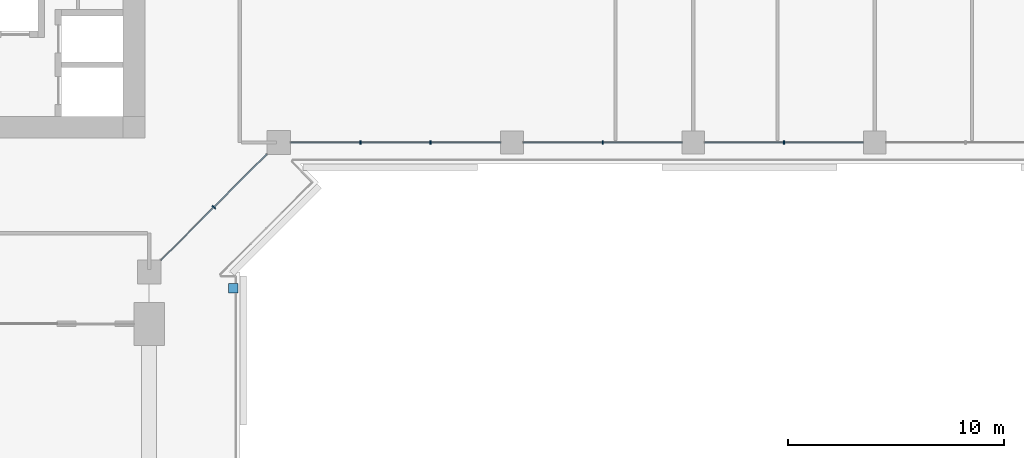
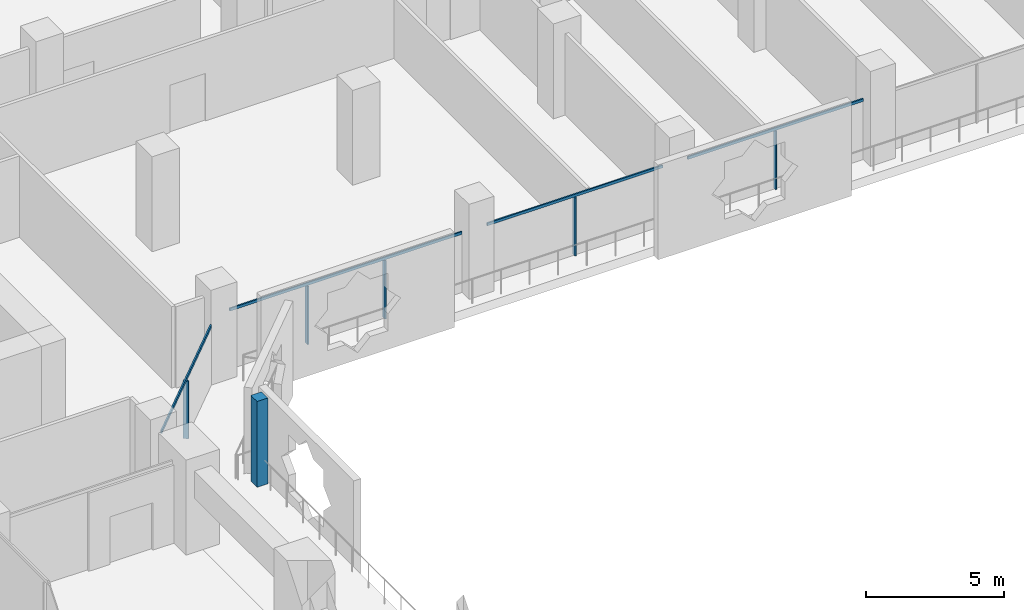
# One storey, part 6 of 25: 10 members, 3 elements without a shape of their own.
"""IFC4 building model written with IfcOpenShell, lengths in metres."""

import ifcopenshell
import ifcopenshell.guid

model = None  # the IFC model being written
_history = None  # IfcOwnerHistory: only IFC2X3 demands one
_inside = {}  # id of a spatial element -> (the spatial element, [elements in it])
_under = {}  # id of a project, library or spatial element -> (it, [spatial elements below it])
_declared = {}  # id of a project -> (the project, [libraries it declares])
_typed = {}  # id of a type object -> (the type object, [elements of that type])
_made_of = {}  # id of a material, layer set ... -> (it, [elements and type objects made of it])


def new_model(schema):
    """Start an empty IFC model of exactly this schema.

    Asked for "IFC4X3", IfcOpenShell would pick the latest addendum, in which some entities
    have other attributes; the version numbers below select the first issue.
    IFC2X3 requires an IfcOwnerHistory on every rooted entity: one is made here for all.
    """
    global model, _history
    if schema == "IFC4X3":
        model = ifcopenshell.file(schema_version=(4, 3, 0, 0))
    else:
        model = ifcopenshell.file(schema=schema)
    _inside.clear()
    _under.clear()
    _declared.clear()
    _typed.clear()
    _made_of.clear()
    _history = None
    if model.schema == "IFC2X3":
        org = make("IfcOrganization", Name="unknown")
        user = make(
            "IfcPersonAndOrganization",
            ThePerson=make("IfcPerson", FamilyName="unknown"),
            TheOrganization=org,
        )
        app = make(
            "IfcApplication",
            ApplicationDeveloper=org,
            Version="unknown",
            ApplicationFullName="unknown",
            ApplicationIdentifier="unknown",
        )
        _history = make(
            "IfcOwnerHistory",
            OwningUser=user,
            OwningApplication=app,
            ChangeAction="ADDED",
            CreationDate=0,
        )
    return model


def make(cls, **values):
    """One entity of the class cls with the attributes given. An attribute that is None is left unset."""
    return model.create_entity(
        cls, **{name: value for name, value in values.items() if value is not None}
    )


def rooted(cls, **values):
    """An entity with a GlobalId (a new one), such as an element, a storey or a relation."""
    return make(cls, GlobalId=ifcopenshell.guid.new(), OwnerHistory=_history, **values)


def si_unit(unit_type, name, prefix=None):
    """IfcSIUnit, for example si_unit("LENGTHUNIT", "METRE", prefix="MILLI")."""
    return make("IfcSIUnit", UnitType=unit_type, Prefix=prefix, Name=name)


def assignment(units):
    """IfcUnitAssignment: the units of a project."""
    return None if units is None else make("IfcUnitAssignment", Units=units)


def point(xyz):
    """IfcCartesianPoint."""
    return None if xyz is None else make("IfcCartesianPoint", Coordinates=xyz)


def direction(xyz):
    """IfcDirection."""
    return None if xyz is None else make("IfcDirection", DirectionRatios=xyz)


def frame(location, z_axis=None, x_axis=None):
    """IfcAxis2Placement3D, a coordinate frame: its origin and axes. An axis left out is left unset."""
    return make(
        "IfcAxis2Placement3D",
        Location=point(location),
        Axis=direction(z_axis),
        RefDirection=direction(x_axis),
    )


def frame_2d(location, x_axis=None):
    """IfcAxis2Placement2D, a coordinate frame in the plane: its origin and x axis."""
    return make(
        "IfcAxis2Placement2D", Location=point(location), RefDirection=direction(x_axis)
    )


def origin():
    """The frame at (0, 0, 0) with its axes left unset."""
    return frame((0.0, 0.0, 0.0))


def origin_2d():
    """The frame at (0, 0) in the plane with its x axis left unset."""
    return frame_2d((0.0, 0.0))


def place(relative_to, where):
    """IfcLocalPlacement: puts the frame where relative to a parent placement (None: the world)."""
    return make(
        "IfcLocalPlacement", PlacementRelTo=relative_to, RelativePlacement=where
    )


def context(
    kind, dimensions, precision=None, world=None, true_north=None, identifier=None
):
    """IfcGeometricRepresentationContext, for example the 3D "Model" context."""
    return make(
        "IfcGeometricRepresentationContext",
        ContextIdentifier=identifier,
        ContextType=kind,
        CoordinateSpaceDimension=dimensions,
        Precision=precision,
        WorldCoordinateSystem=world,
        TrueNorth=true_north,
    )


def subcontext(parent, identifier, kind, view, scale=None):
    """IfcGeometricRepresentationSubContext, for example "Body" below "Model"."""
    return make(
        "IfcGeometricRepresentationSubContext",
        ContextIdentifier=identifier,
        ContextType=kind,
        ParentContext=parent,
        TargetScale=scale,
        TargetView=view,
    )


def project(units=None, contexts=None):
    """IfcProject with its units and contexts."""
    return rooted(
        "IfcProject",
        Name="project",
        RepresentationContexts=contexts,
        UnitsInContext=assignment(units),
    )


def spatial(cls, under=None, at=None, **own):
    """A site, building, storey or space (cls), placed at a placement, below another one or the project."""
    s = rooted(cls, ObjectPlacement=at, **own)
    if under is not None:
        _under.setdefault(under.id(), (under, []))[1].append(s)
    return s


def profile(cls, at=None, kind="AREA", **sizes):
    """A parametric profile (cls). Its sizes go by their IFC names, for example OverallWidth=200.0."""
    return make(cls, ProfileType=kind, Position=at, **sizes)


def rectangle(**sizes):
    """IfcRectangleProfileDef."""
    return profile("IfcRectangleProfileDef", **sizes)


def extrude(swept, where, along, depth):
    """IfcExtrudedAreaSolid: the profile swept, set in the frame where, extruded along a direction by depth."""
    return make(
        "IfcExtrudedAreaSolid",
        SweptArea=swept,
        Position=where,
        ExtrudedDirection=direction(along),
        Depth=depth,
    )


def shape(context_of_items, identifier, shape_type, items):
    """IfcShapeRepresentation: the items that make up one representation, for example the "Body"."""
    return make(
        "IfcShapeRepresentation",
        ContextOfItems=context_of_items,
        RepresentationIdentifier=identifier,
        RepresentationType=shape_type,
        Items=items,
    )


def material(Name=None, Category=None):
    """IfcMaterial."""
    return make("IfcMaterial", Name=Name, Category=Category)


def layer(
    of_material, thickness, ventilated=None, Name=None, Category=None, Priority=None
):
    """IfcMaterialLayer: one layer of a wall or slab, of a material (None: an air gap)."""
    return make(
        "IfcMaterialLayer",
        Material=of_material,
        LayerThickness=thickness,
        IsVentilated=ventilated,
        Name=Name,
        Category=Category,
        Priority=Priority,
    )


def layer_set(layers, Name=None):
    """IfcMaterialLayerSet."""
    return make("IfcMaterialLayerSet", MaterialLayers=layers, LayerSetName=Name)


def material_profile(
    of_material, cross_section, Name=None, Category=None, Priority=None
):
    """IfcMaterialProfile: a cross section and its material."""
    return make(
        "IfcMaterialProfile",
        Name=Name,
        Material=of_material,
        Profile=cross_section,
        Priority=Priority,
        Category=Category,
    )


def profile_set(profiles, Name=None, composite=None):
    """IfcMaterialProfileSet."""
    return make(
        "IfcMaterialProfileSet",
        Name=Name,
        MaterialProfiles=profiles,
        CompositeProfile=composite,
    )


def made_of(thing, what):
    """Note that an element or type object is made of a material, layer set ...; save() writes the relation."""
    if what is not None:
        _made_of.setdefault(what.id(), (what, []))[1].append(thing)
    return thing


def type_object(cls, material=None, **own):
    """A type object (cls), such as IfcWallType, which elements share."""
    return made_of(rooted(cls, **own), material)


def element(
    cls,
    number,
    at=None,
    inside=None,
    cuts=None,
    type_object=None,
    material=None,
    context=None,
    identifier="Body",
    shape_type=None,
    held_by="IfcProductDefinitionShape",
    body=None,
    shapes=None,
    **own,
):
    """One element of the class cls, such as IfcWall. Its Tag is "e" and its number.

    at: its placement. inside: the storey or other place that contains it. cuts: it is an
    opening in that element (IfcRelVoidsElement). A single representation is given by context,
    identifier, shape_type and body (its items); several are given by shapes. held_by: the class
    of the entity that holds the representations. save() writes the other relations.
    """
    e = rooted(cls, Tag="e%d" % number, ObjectPlacement=at, **own)
    if body is not None:
        shapes = [shape(context, identifier, shape_type, body)]
    if shapes is not None:
        e.Representation = make(held_by, Representations=shapes)
    if inside is not None:
        _inside.setdefault(inside.id(), (inside, []))[1].append(e)
    if cuts is not None:
        rooted(
            "IfcRelVoidsElement", RelatingBuildingElement=cuts, RelatedOpeningElement=e
        )
    if type_object is not None:
        _typed.setdefault(type_object.id(), (type_object, []))[1].append(e)
    return made_of(e, material)


def aggregate(whole, parts):
    """IfcRelAggregates: a whole, such as a stair, and the parts it consists of."""
    return rooted("IfcRelAggregates", RelatingObject=whole, RelatedObjects=parts)


def save(model, path):
    """Write the relations noted so far, then the file.

    IfcRelAggregates (storeys below a building ...), IfcRelContainedInSpatialStructure (elements
    in a storey), IfcRelDefinesByType, IfcRelAssociatesMaterial and IfcRelDeclares: one each for
    every whole, place, type object, material and project.
    """
    for whole, parts in _under.values():
        aggregate(whole, parts)
    for where, things in _inside.values():
        rooted(
            "IfcRelContainedInSpatialStructure",
            RelatedElements=things,
            RelatingStructure=where,
        )
    for kind, things in _typed.values():
        rooted("IfcRelDefinesByType", RelatedObjects=things, RelatingType=kind)
    for what, things in _made_of.values():
        rooted("IfcRelAssociatesMaterial", RelatedObjects=things, RelatingMaterial=what)
    for by, libraries in _declared.values():
        rooted("IfcRelDeclares", RelatingContext=by, RelatedDefinitions=libraries)
    model.write(path)


model = new_model("IFC4")

# Units and contexts
model_context = context("Model", 3, precision=1e-05, world=origin(), true_north=direction((0.0, 1.0)))
body_context = subcontext(model_context, "Body", "Model", "MODEL_VIEW")
ifc_project = project(units=[si_unit("LENGTHUNIT", "METRE"), si_unit("AREAUNIT", "SQUARE_METRE"), si_unit("VOLUMEUNIT", "CUBIC_METRE"), si_unit("PLANEANGLEUNIT", "RADIAN"), si_unit("MASSUNIT", "GRAM", prefix="KILO")], contexts=[model_context])

# Site, building, storey
site_placement = place(None, origin())
site = spatial("IfcSite", under=ifc_project, at=site_placement, CompositionType="ELEMENT")
building_placement = place(site_placement, origin())
building = spatial("IfcBuilding", under=site, at=building_placement, Name="Kawkab Arch Medical Tower", CompositionType="ELEMENT")
storey_placement = place(building_placement, frame((0.0, 0.0, 98.800048828125)))
storey = spatial("IfcBuildingStorey", under=building, at=storey_placement, Name="L22", CompositionType="ELEMENT", Elevation=98.800048828125)

# Curtain wall, members
ifc_material_1 = material(Name="Bronze anodised aluminium curtain wall frame", Category="aluminium")
ifc_layer_1 = layer(ifc_material_1, 0.159912109375)
ifc_layer_set_1 = layer_set([ifc_layer_1], Name="Bronze anodised aluminium curtain wall frame")
curtain_wall_type_1 = type_object("IfcCurtainWallType", Name="CW1 ward curtain wall", PredefinedType="NOTDEFINED", material=ifc_layer_set_1)
placement = place(storey_placement, origin())
curtain_wall_1 = element("IfcCurtainWall", 1, at=placement, inside=storey, type_object=curtain_wall_type_1, Name="CW1 Ward curtain wall R07", PredefinedType="NOTDEFINED")
ifc_material_2 = material(Name="Bronze anodised aluminium curtain wall frame", Category="aluminium")
ifc_material_profile_1 = material_profile(ifc_material_2, rectangle(XDim=0.179931640625, YDim=0.06005859375, at=origin_2d()), Name="AL 60x180")
ifc_profile_set_1 = profile_set([ifc_material_profile_1], Name="Bronze anodised aluminium curtain wall frame")
member_type_1 = type_object("IfcMemberType", Name="CW1 mullion 60 x 180", PredefinedType="MULLION", material=ifc_profile_set_1)
member_1_placement = place(storey_placement, frame((34.99169921875, -25.199951171875, 0.0), z_axis=(0.0, 0.0, 1.0), x_axis=(0.0, 1.0, 0.0)))
member_1 = element("IfcMember", 2, at=member_1_placement, type_object=member_type_1, Name="CW1 mullion 1.1", PredefinedType="MULLION", context=body_context, shape_type="SweptSolid", body=[
    extrude(rectangle(XDim=0.179931640625, YDim=0.06005859375, at=origin_2d()), origin(), (0.0, 0.0, 1.0), 2.579833984375),
])
member_2_placement = place(storey_placement, frame((38.2333984375, -25.199951171875, 0.0), z_axis=(0.0, 0.0, 1.0), x_axis=(0.0, 1.0, 0.0)))
member_2 = element("IfcMember", 3, at=member_2_placement, type_object=member_type_1, Name="CW1 mullion 1.2", PredefinedType="MULLION", context=body_context, shape_type="SweptSolid", body=[
    extrude(rectangle(XDim=0.179931640625, YDim=0.06005859375, at=origin_2d()), origin(), (0.0, 0.0, 1.0), 2.579833984375),
])
member_3_placement = place(storey_placement, frame((46.199951171875, -25.199951171875, 0.0), z_axis=(0.0, 0.0, 1.0), x_axis=(0.0, 1.0, 0.0)))
member_3 = element("IfcMember", 4, at=member_3_placement, type_object=member_type_1, Name="CW1 mullion 2.1", PredefinedType="MULLION", context=body_context, shape_type="SweptSolid", body=[
    extrude(rectangle(XDim=0.179931640625, YDim=0.06005859375, at=origin_2d()), origin(), (0.0, 0.0, 1.0), 2.579833984375),
])
member_4_placement = place(storey_placement, frame((54.60009765625, -25.199951171875, 0.0), z_axis=(0.0, 0.0, 1.0), x_axis=(0.0, 1.0, 0.0)))
member_4 = element("IfcMember", 5, at=member_4_placement, type_object=member_type_1, Name="CW1 mullion 3.1", PredefinedType="MULLION", context=body_context, shape_type="SweptSolid", body=[
    extrude(rectangle(XDim=0.179931640625, YDim=0.06005859375, at=origin_2d()), origin(), (0.0, 0.0, 1.0), 2.579833984375),
])
ifc_material_3 = material(Name="Bronze anodised aluminium curtain wall frame", Category="aluminium")
ifc_material_profile_2 = material_profile(ifc_material_3, rectangle(XDim=0.06005859375, YDim=0.1201171875, at=origin_2d()), Name="AL 60x120")
ifc_profile_set_2 = profile_set([ifc_material_profile_2], Name="Bronze anodised aluminium curtain wall frame")
member_type_2 = type_object("IfcMemberType", Name="CW1 transom 120 x 60", PredefinedType="USERDEFINED", material=ifc_profile_set_2)
member_5_placement = place(storey_placement, frame((31.75, -25.199951171875, 2.639892578125), z_axis=(1.0, 0.0, 0.0), x_axis=(0.0, 1.0, 0.0)))
member_5 = element("IfcMember", 6, at=member_5_placement, type_object=member_type_2, Name="CW1 transom 1", ObjectType="TRANSOM", PredefinedType="USERDEFINED", context=body_context, shape_type="SweptSolid", body=[
    extrude(rectangle(XDim=0.06005859375, YDim=0.1201171875, at=origin_2d()), origin(), (0.0, 0.0, 1.0), 9.72509765625),
])
member_6_placement = place(storey_placement, frame((42.52490234375, -25.199951171875, 2.639892578125), z_axis=(1.0, 0.0, 0.0), x_axis=(0.0, 1.0, 0.0)))
member_6 = element("IfcMember", 7, at=member_6_placement, type_object=member_type_2, Name="CW1 transom 2", ObjectType="TRANSOM", PredefinedType="USERDEFINED", context=body_context, shape_type="SweptSolid", body=[
    extrude(rectangle(XDim=0.06005859375, YDim=0.1201171875, at=origin_2d()), origin(), (0.0, 0.0, 1.0), 7.35009765625),
])
member_7_placement = place(storey_placement, frame((50.925048828125, -25.199951171875, 2.639892578125), z_axis=(1.0, 0.0, 0.0), x_axis=(0.0, 1.0, 0.0)))
member_7 = element("IfcMember", 8, at=member_7_placement, type_object=member_type_2, Name="CW1 transom 3", ObjectType="TRANSOM", PredefinedType="USERDEFINED", context=body_context, shape_type="SweptSolid", body=[
    extrude(rectangle(XDim=0.06005859375, YDim=0.1201171875, at=origin_2d()), origin(), (0.0, 0.0, 1.0), 7.349853515625),
])
aggregate(curtain_wall_1, [member_5, member_1, member_2, member_6, member_3, member_7, member_4])

ifc_material_4 = material(Name="Bronze anodised aluminium curtain wall frame", Category="aluminium")
ifc_layer_2 = layer(ifc_material_4, 0.159912109375)
ifc_layer_set_2 = layer_set([ifc_layer_2], Name="Bronze anodised aluminium curtain wall frame")
curtain_wall_type_2 = type_object("IfcCurtainWallType", Name="CW2 chamfer curtain wall", PredefinedType="NOTDEFINED", material=ifc_layer_set_2)
curtain_wall_2 = element("IfcCurtainWall", 9, at=placement, inside=storey, type_object=curtain_wall_type_2, Name="CW2 Chamfer curtain wall R06", PredefinedType="NOTDEFINED")
ifc_material_5 = material(Name="Bronze anodised aluminium curtain wall frame", Category="aluminium")
ifc_material_profile_3 = material_profile(ifc_material_5, rectangle(XDim=0.199951171875, YDim=0.06005859375, at=origin_2d()), Name="AL 60x200")
ifc_profile_set_3 = profile_set([ifc_material_profile_3], Name="Bronze anodised aluminium curtain wall frame")
member_type_3 = type_object("IfcMemberType", Name="CW2 mullion 60 x 200", PredefinedType="MULLION", material=ifc_profile_set_3)
member_8_placement = place(storey_placement, frame((28.199951171875, -28.199951171875, 0.0), z_axis=(0.0, 0.0, 1.0), x_axis=(-0.707106781187, 0.707106781187, 0.0)))
member_8 = element("IfcMember", 10, at=member_8_placement, type_object=member_type_3, Name="CW2 mullion 1.1", PredefinedType="MULLION", context=body_context, shape_type="SweptSolid", body=[
    extrude(rectangle(XDim=0.199951171875, YDim=0.06005859375, at=origin_2d()), origin(), (0.0, 0.0, 1.0), 2.56005859375),
])
ifc_material_6 = material(Name="Bronze anodised aluminium curtain wall frame", Category="aluminium")
ifc_material_profile_4 = material_profile(ifc_material_6, rectangle(XDim=0.06005859375, YDim=0.139892578125, at=origin_2d()), Name="AL 60x140")
ifc_profile_set_4 = profile_set([ifc_material_profile_4], Name="Bronze anodised aluminium curtain wall frame")
member_type_4 = type_object("IfcMemberType", Name="CW2 transom 140 x 60", PredefinedType="USERDEFINED", material=ifc_profile_set_4)
member_9_placement = place(storey_placement, frame((25.75, -30.64990234375, 2.6298828125), z_axis=(0.707106781187, 0.707106781187, 0.0), x_axis=(-0.707106781187, 0.707106781187, 0.0)))
member_9 = element("IfcMember", 11, at=member_9_placement, type_object=member_type_4, Name="CW2 transom 1", ObjectType="TRANSOM", PredefinedType="USERDEFINED", context=body_context, shape_type="SweptSolid", body=[
    extrude(rectangle(XDim=0.06005859375, YDim=0.139892578125, at=origin_2d()), origin(), (0.0, 0.0, 1.0), 6.929443359375),
])
aggregate(curtain_wall_2, [member_9, member_8])

# Curtain wall, member
ifc_material_7 = material(Name="Bronze anodised aluminium climber frame, planted", Category="aluminium")
ifc_layer_3 = layer(ifc_material_7, 0.449951171875)
ifc_layer_set_3 = layer_set([ifc_layer_3], Name="Bronze anodised aluminium climber frame, planted")
curtain_wall_type_3 = type_object("IfcCurtainWallType", Name="Planted climber frame", PredefinedType="NOTDEFINED", material=ifc_layer_set_3)
curtain_wall_3 = element("IfcCurtainWall", 12, at=placement, inside=storey, type_object=curtain_wall_type_3, Name="Planted climber frame L22", PredefinedType="NOTDEFINED")
ifc_material_8 = material(Name="Bronze anodised aluminium climber frame, planted", Category="aluminium")
ifc_material_profile_5 = material_profile(ifc_material_8, rectangle(XDim=0.449951171875, YDim=0.449951171875, at=origin_2d()), Name="Post 450x450")
ifc_profile_set_5 = profile_set([ifc_material_profile_5], Name="Bronze anodised aluminium climber frame, planted")
member_type_5 = type_object("IfcMemberType", Name="Planted climber post 450 x 450", PredefinedType="MULLION", material=ifc_profile_set_5)
member_10_placement = place(storey_placement, frame((29.10009765625, -31.949951171875, 0.0), z_axis=(0.0, 0.0, 1.0), x_axis=(1.0, 0.0, 0.0)))
member_10 = element("IfcMember", 13, at=member_10_placement, type_object=member_type_5, Name="Planted climber post L22.LOG-01-01.5", PredefinedType="MULLION", context=body_context, shape_type="SweptSolid", body=[
    extrude(rectangle(XDim=0.449951171875, YDim=0.449951171875, at=origin_2d()), origin(), (0.0, 0.0, 1.0), 3.800048828125),
])
aggregate(curtain_wall_3, [member_10])

save(model, "model.ifc")
